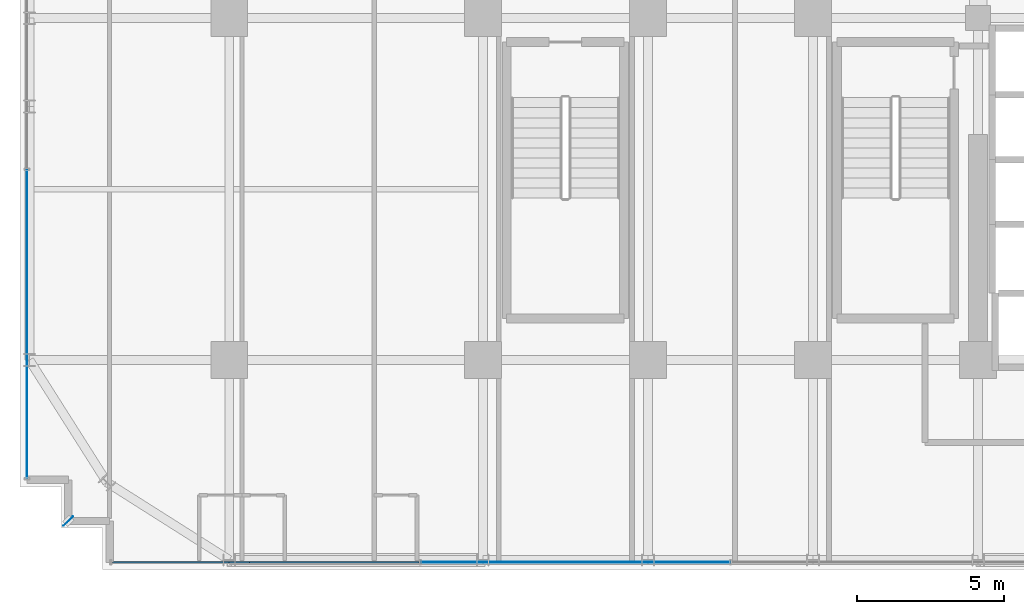
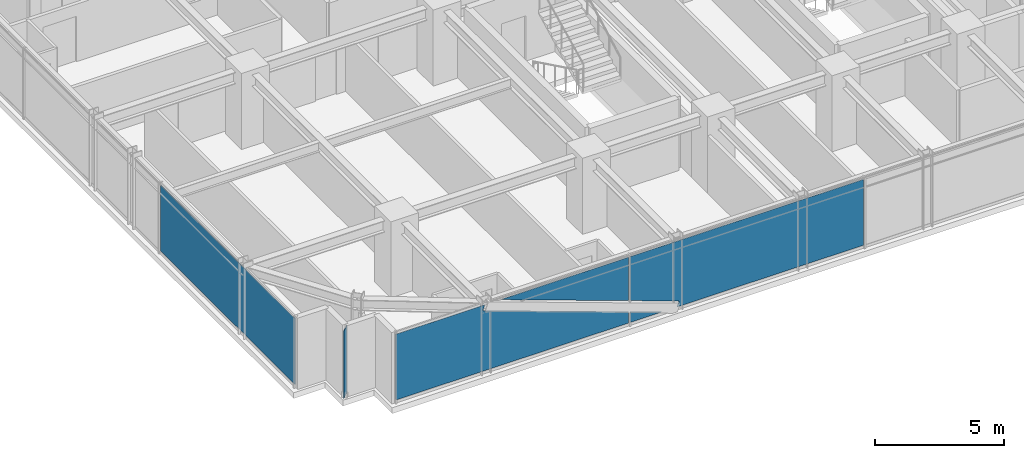
# One storey, part 26 of 41: 4 plates, 2 elements without a shape of their own.
"""IFC4 building model written with IfcOpenShell, lengths in metres."""

import ifcopenshell
import ifcopenshell.guid

model = None  # the IFC model being written
_history = None  # IfcOwnerHistory: only IFC2X3 demands one
_inside = {}  # id of a spatial element -> (the spatial element, [elements in it])
_under = {}  # id of a project, library or spatial element -> (it, [spatial elements below it])
_declared = {}  # id of a project -> (the project, [libraries it declares])
_typed = {}  # id of a type object -> (the type object, [elements of that type])
_made_of = {}  # id of a material, layer set ... -> (it, [elements and type objects made of it])


def new_model(schema):
    """Start an empty IFC model of exactly this schema.

    Asked for "IFC4X3", IfcOpenShell would pick the latest addendum, in which some entities
    have other attributes; the version numbers below select the first issue.
    IFC2X3 requires an IfcOwnerHistory on every rooted entity: one is made here for all.
    """
    global model, _history
    if schema == "IFC4X3":
        model = ifcopenshell.file(schema_version=(4, 3, 0, 0))
    else:
        model = ifcopenshell.file(schema=schema)
    _inside.clear()
    _under.clear()
    _declared.clear()
    _typed.clear()
    _made_of.clear()
    _history = None
    if model.schema == "IFC2X3":
        org = make("IfcOrganization", Name="unknown")
        user = make(
            "IfcPersonAndOrganization",
            ThePerson=make("IfcPerson", FamilyName="unknown"),
            TheOrganization=org,
        )
        app = make(
            "IfcApplication",
            ApplicationDeveloper=org,
            Version="unknown",
            ApplicationFullName="unknown",
            ApplicationIdentifier="unknown",
        )
        _history = make(
            "IfcOwnerHistory",
            OwningUser=user,
            OwningApplication=app,
            ChangeAction="ADDED",
            CreationDate=0,
        )
    return model


def make(cls, **values):
    """One entity of the class cls with the attributes given. An attribute that is None is left unset."""
    return model.create_entity(
        cls, **{name: value for name, value in values.items() if value is not None}
    )


def rooted(cls, **values):
    """An entity with a GlobalId (a new one), such as an element, a storey or a relation."""
    return make(cls, GlobalId=ifcopenshell.guid.new(), OwnerHistory=_history, **values)


def si_unit(unit_type, name, prefix=None):
    """IfcSIUnit, for example si_unit("LENGTHUNIT", "METRE", prefix="MILLI")."""
    return make("IfcSIUnit", UnitType=unit_type, Prefix=prefix, Name=name)


def assignment(units):
    """IfcUnitAssignment: the units of a project."""
    return None if units is None else make("IfcUnitAssignment", Units=units)


def point(xyz):
    """IfcCartesianPoint."""
    return None if xyz is None else make("IfcCartesianPoint", Coordinates=xyz)


def direction(xyz):
    """IfcDirection."""
    return None if xyz is None else make("IfcDirection", DirectionRatios=xyz)


def frame(location, z_axis=None, x_axis=None):
    """IfcAxis2Placement3D, a coordinate frame: its origin and axes. An axis left out is left unset."""
    return make(
        "IfcAxis2Placement3D",
        Location=point(location),
        Axis=direction(z_axis),
        RefDirection=direction(x_axis),
    )


def frame_2d(location, x_axis=None):
    """IfcAxis2Placement2D, a coordinate frame in the plane: its origin and x axis."""
    return make(
        "IfcAxis2Placement2D", Location=point(location), RefDirection=direction(x_axis)
    )


def origin():
    """The frame at (0, 0, 0) with its axes left unset."""
    return frame((0.0, 0.0, 0.0))


def origin_2d():
    """The frame at (0, 0) in the plane with its x axis left unset."""
    return frame_2d((0.0, 0.0))


def place(relative_to, where):
    """IfcLocalPlacement: puts the frame where relative to a parent placement (None: the world)."""
    return make(
        "IfcLocalPlacement", PlacementRelTo=relative_to, RelativePlacement=where
    )


def context(
    kind, dimensions, precision=None, world=None, true_north=None, identifier=None
):
    """IfcGeometricRepresentationContext, for example the 3D "Model" context."""
    return make(
        "IfcGeometricRepresentationContext",
        ContextIdentifier=identifier,
        ContextType=kind,
        CoordinateSpaceDimension=dimensions,
        Precision=precision,
        WorldCoordinateSystem=world,
        TrueNorth=true_north,
    )


def subcontext(parent, identifier, kind, view, scale=None):
    """IfcGeometricRepresentationSubContext, for example "Body" below "Model"."""
    return make(
        "IfcGeometricRepresentationSubContext",
        ContextIdentifier=identifier,
        ContextType=kind,
        ParentContext=parent,
        TargetScale=scale,
        TargetView=view,
    )


def project(units=None, contexts=None):
    """IfcProject with its units and contexts."""
    return rooted(
        "IfcProject",
        Name="project",
        RepresentationContexts=contexts,
        UnitsInContext=assignment(units),
    )


def spatial(cls, under=None, at=None, **own):
    """A site, building, storey or space (cls), placed at a placement, below another one or the project."""
    s = rooted(cls, ObjectPlacement=at, **own)
    if under is not None:
        _under.setdefault(under.id(), (under, []))[1].append(s)
    return s


def polyline(points):
    """IfcPolyline through the points."""
    return make("IfcPolyline", Points=[point(p) for p in points])


def profile(cls, at=None, kind="AREA", **sizes):
    """A parametric profile (cls). Its sizes go by their IFC names, for example OverallWidth=200.0."""
    return make(cls, ProfileType=kind, Position=at, **sizes)


def rectangle(**sizes):
    """IfcRectangleProfileDef."""
    return profile("IfcRectangleProfileDef", **sizes)


def outline(outer, holes=None, kind="AREA"):
    """IfcArbitraryClosedProfileDef: a profile drawn as a closed curve; with holes, ...WithVoids."""
    if holes is None:
        return make("IfcArbitraryClosedProfileDef", ProfileType=kind, OuterCurve=outer)
    return make(
        "IfcArbitraryProfileDefWithVoids",
        ProfileType=kind,
        OuterCurve=outer,
        InnerCurves=holes,
    )


def extrude(swept, where, along, depth):
    """IfcExtrudedAreaSolid: the profile swept, set in the frame where, extruded along a direction by depth."""
    return make(
        "IfcExtrudedAreaSolid",
        SweptArea=swept,
        Position=where,
        ExtrudedDirection=direction(along),
        Depth=depth,
    )


def shape(context_of_items, identifier, shape_type, items):
    """IfcShapeRepresentation: the items that make up one representation, for example the "Body"."""
    return make(
        "IfcShapeRepresentation",
        ContextOfItems=context_of_items,
        RepresentationIdentifier=identifier,
        RepresentationType=shape_type,
        Items=items,
    )


def source(mapping_origin, context_of_items, identifier, shape_type, items):
    """IfcRepresentationMap: a shape defined once, which mapped items show again and again."""
    return make(
        "IfcRepresentationMap",
        MappingOrigin=mapping_origin,
        MappedRepresentation=shape(context_of_items, identifier, shape_type, items),
    )


def transform(
    local_origin,
    x_axis=None,
    y_axis=None,
    z_axis=None,
    scale=None,
    scale2=None,
    scale3=None,
    uniform=True,
):
    """IfcCartesianTransformationOperator3D, or its non-uniform kind. x_axis, y_axis, z_axis: its Axis1, 2, 3."""
    if uniform:
        return make(
            "IfcCartesianTransformationOperator3D",
            Axis1=direction(x_axis),
            Axis2=direction(y_axis),
            LocalOrigin=point(local_origin),
            Scale=scale,
            Axis3=direction(z_axis),
        )
    return make(
        "IfcCartesianTransformationOperator3DnonUniform",
        Axis1=direction(x_axis),
        Axis2=direction(y_axis),
        LocalOrigin=point(local_origin),
        Scale=scale,
        Axis3=direction(z_axis),
        Scale2=scale2,
        Scale3=scale3,
    )


def mapped(mapping_source, mapping_target):
    """IfcMappedItem: shows the shape of a source again, moved by a transform."""
    return make(
        "IfcMappedItem", MappingSource=mapping_source, MappingTarget=mapping_target
    )


def material(Name=None, Category=None):
    """IfcMaterial."""
    return make("IfcMaterial", Name=Name, Category=Category)


def layer(
    of_material, thickness, ventilated=None, Name=None, Category=None, Priority=None
):
    """IfcMaterialLayer: one layer of a wall or slab, of a material (None: an air gap)."""
    return make(
        "IfcMaterialLayer",
        Material=of_material,
        LayerThickness=thickness,
        IsVentilated=ventilated,
        Name=Name,
        Category=Category,
        Priority=Priority,
    )


def layer_set(layers, Name=None):
    """IfcMaterialLayerSet."""
    return make("IfcMaterialLayerSet", MaterialLayers=layers, LayerSetName=Name)


def made_of(thing, what):
    """Note that an element or type object is made of a material, layer set ...; save() writes the relation."""
    if what is not None:
        _made_of.setdefault(what.id(), (what, []))[1].append(thing)
    return thing


def type_object(cls, material=None, **own):
    """A type object (cls), such as IfcWallType, which elements share."""
    return made_of(rooted(cls, **own), material)


def element(
    cls,
    number,
    at=None,
    inside=None,
    cuts=None,
    type_object=None,
    material=None,
    context=None,
    identifier="Body",
    shape_type=None,
    held_by="IfcProductDefinitionShape",
    body=None,
    shapes=None,
    **own,
):
    """One element of the class cls, such as IfcWall. Its Tag is "e" and its number.

    at: its placement. inside: the storey or other place that contains it. cuts: it is an
    opening in that element (IfcRelVoidsElement). A single representation is given by context,
    identifier, shape_type and body (its items); several are given by shapes. held_by: the class
    of the entity that holds the representations. save() writes the other relations.
    """
    e = rooted(cls, Tag="e%d" % number, ObjectPlacement=at, **own)
    if body is not None:
        shapes = [shape(context, identifier, shape_type, body)]
    if shapes is not None:
        e.Representation = make(held_by, Representations=shapes)
    if inside is not None:
        _inside.setdefault(inside.id(), (inside, []))[1].append(e)
    if cuts is not None:
        rooted(
            "IfcRelVoidsElement", RelatingBuildingElement=cuts, RelatedOpeningElement=e
        )
    if type_object is not None:
        _typed.setdefault(type_object.id(), (type_object, []))[1].append(e)
    return made_of(e, material)


def aggregate(whole, parts):
    """IfcRelAggregates: a whole, such as a stair, and the parts it consists of."""
    return rooted("IfcRelAggregates", RelatingObject=whole, RelatedObjects=parts)


def save(model, path):
    """Write the relations noted so far, then the file.

    IfcRelAggregates (storeys below a building ...), IfcRelContainedInSpatialStructure (elements
    in a storey), IfcRelDefinesByType, IfcRelAssociatesMaterial and IfcRelDeclares: one each for
    every whole, place, type object, material and project.
    """
    for whole, parts in _under.values():
        aggregate(whole, parts)
    for where, things in _inside.values():
        rooted(
            "IfcRelContainedInSpatialStructure",
            RelatedElements=things,
            RelatingStructure=where,
        )
    for kind, things in _typed.values():
        rooted("IfcRelDefinesByType", RelatedObjects=things, RelatingType=kind)
    for what, things in _made_of.values():
        rooted("IfcRelAssociatesMaterial", RelatedObjects=things, RelatingMaterial=what)
    for by, libraries in _declared.values():
        rooted("IfcRelDeclares", RelatingContext=by, RelatedDefinitions=libraries)
    model.write(path)


model = new_model("IFC4")

# Units and contexts
model_context = context("Model", 3, precision=1e-05, world=origin(), true_north=direction((0.0, 1.0)))
body_context = subcontext(model_context, "Body", "Model", "MODEL_VIEW")
ifc_project = project(units=[si_unit("LENGTHUNIT", "METRE"), si_unit("AREAUNIT", "SQUARE_METRE"), si_unit("VOLUMEUNIT", "CUBIC_METRE"), si_unit("PLANEANGLEUNIT", "RADIAN"), si_unit("MASSUNIT", "GRAM", prefix="KILO")], contexts=[model_context])

# Site, building, storey
site_placement = place(None, origin())
site = spatial("IfcSite", under=ifc_project, at=site_placement, CompositionType="ELEMENT")
building_placement = place(site_placement, origin())
building = spatial("IfcBuilding", under=site, at=building_placement, Name="Nahalor Promenade Grand Hotel", CompositionType="ELEMENT")
storey_placement = place(building_placement, frame((0.0, 0.0, 113.85009765625)))
storey = spatial("IfcBuildingStorey", under=building, at=storey_placement, Name="L28", CompositionType="ELEMENT", Elevation=113.85009765625)

# Curtain wall, plates
ifc_material_1 = material(Name="Anodised Bronze Aluminium EN AW-6063 T6", Category="aluminium")
curtain_wall_type = type_object("IfcCurtainWallType", Name="CW2 Typical Hotel Flush Bronze Unitised Curtain Wall", PredefinedType="USERDEFINED", material=ifc_material_1)
curtain_wall_1_placement = place(storey_placement, origin())
curtain_wall_1 = element("IfcCurtainWall", 1, at=curtain_wall_1_placement, inside=storey, type_object=curtain_wall_type, Name="L28 Curtain Wall CW-L28-S-1", ObjectType="UNITISED_CURTAIN_WALL", PredefinedType="USERDEFINED")
ifc_material_2 = material(Name="Low-E Laminated Solar Glass", Category="glass")
ifc_layer_1 = layer(ifc_material_2, 0.028076171875)
ifc_layer_set_1 = layer_set([ifc_layer_1], Name="Low-E Laminated Solar Glass")
plate_type_1 = type_object("IfcPlateType", Name="CWP2 Bronze Low-E Vision IGU 28mm", PredefinedType="CURTAIN_PANEL", material=ifc_layer_set_1)
plate_1_placement = place(storey_placement, frame((-15.77880859375, -23.860107421875, 0.1298828125), z_axis=(0.0, 0.0, 1.0), x_axis=(1.0, 0.0, 0.0)))
plate_1 = element("IfcPlate", 2, at=plate_1_placement, type_object=plate_type_1, Name="CW-L28-S-1 Glazing Panel 0-0", PredefinedType="CURTAIN_PANEL", context=body_context, shape_type="SweptSolid", body=[
    extrude(outline(polyline([(-5.21630859375, 0.0), (5.21630859375, 0.0), (5.21630859375, 0.52880859375), (-1.3291015625, 2.873046875), (-1.24072265625, 3.1201171875), (-5.21630859375, 3.1201171875), (-5.21630859375, 0.0)])), frame((0.0, 0.01416015625, 0.0), z_axis=(0.0, -1.0, 0.0), x_axis=(1.0, 0.0, 0.0)), (0.0, 0.0, 1.0), 0.028076171875),
    extrude(outline(polyline([(5.21630859375, 1.06005859375), (5.21630859375, 3.1201171875), (-0.53564453125, 3.1201171875), (5.21630859375, 1.06005859375)])), frame((0.0, 0.01416015625, 0.0), z_axis=(0.0, -1.0, 0.0), x_axis=(1.0, 0.0, 0.0)), (0.0, 0.0, 1.0), 0.028076171875),
])
plate_2_placement = place(storey_placement, frame((-5.264892578125, -23.860107421875, 0.1298828125), z_axis=(0.0, 0.0, 1.0), x_axis=(1.0, 0.0, 0.0)))
plate_2 = element("IfcPlate", 3, at=plate_2_placement, type_object=plate_type_1, Name="CW-L28-S-1 Glazing Panel 1-0", PredefinedType="CURTAIN_PANEL", context=body_context, shape_type="SweptSolid", body=[
    extrude(outline(polyline([(5.232421875, 3.1201171875), (-5.232421875, 3.1201171875), (-5.232421875, 1.036865234375), (-3.027099609375, 0.246826171875), (-3.11572265625, 0.0), (5.232421875, 0.0), (5.232421875, 3.1201171875)])), frame((0.0, 0.01416015625, 0.0), z_axis=(0.0, -1.0, 0.0), x_axis=(1.0, 0.0, 0.0)), (0.0, 0.0, 1.0), 0.028076171875),
    extrude(outline(polyline([(-5.232421875, 0.505615234375), (-5.232421875, 0.0), (-3.820556640625, 0.0), (-5.232421875, 0.505615234375)])), frame((0.0, 0.01416015625, 0.0), z_axis=(0.0, -1.0, 0.0), x_axis=(1.0, 0.0, 0.0)), (0.0, 0.0, 1.0), 0.028076171875),
])
aggregate(curtain_wall_1, [plate_1, plate_2])

# Plate
ifc_layer_2 = layer(ifc_material_1, 0.02001953125)
ifc_layer_set_2 = layer_set([ifc_layer_2], Name="Anodised Bronze Aluminium EN AW-6063 T6")
plate_type_2 = type_object("IfcPlateType", Name="Plate-CornerFin-20", PredefinedType="SHEET", material=ifc_layer_set_2)
shared_shape_1 = source(origin(), body_context, "Body", "SweptSolid", [
    extrude(rectangle(XDim=0.449951171875, YDim=0.02001953125, at=origin_2d()), origin(), (0.0, 0.0, 1.0), 3.199951171875),
])
plate_3_placement = place(storey_placement, frame((-22.4599609375, -22.4599609375, 0.0), z_axis=(0.0, 0.0, 1.0), x_axis=(0.707106781187, 0.707106781187, 0.0)))
element("IfcPlate", 4, at=plate_3_placement, inside=storey, type_object=plate_type_2, Name="FIN-L28-SW", PredefinedType="SHEET", context=body_context, shape_type="MappedRepresentation", body=[
    mapped(shared_shape_1, transform((0.0, 0.0, 0.0), scale=1.0)),
])

# Curtain wall, plate
curtain_wall_2_placement = place(storey_placement, origin())
curtain_wall_2 = element("IfcCurtainWall", 5, at=curtain_wall_2_placement, inside=storey, type_object=curtain_wall_type, Name="L28 Curtain Wall CW-L28-W-1", ObjectType="UNITISED_CURTAIN_WALL", PredefinedType="USERDEFINED")
shared_shape_2 = source(origin(), body_context, "Body", "SweptSolid", [
    extrude(rectangle(XDim=10.4326171875, YDim=0.028076171875, at=origin_2d()), origin(), (0.0, 0.0, 1.0), 3.1201171875),
])
plate_4_placement = place(storey_placement, frame((-23.860107421875, -15.77880859375, 0.1298828125), z_axis=(0.0, 0.0, 1.0), x_axis=(0.0, 1.0, 0.0)))
plate_4 = element("IfcPlate", 6, at=plate_4_placement, type_object=plate_type_1, Name="CW-L28-W-1 Glazing Panel 0-0", PredefinedType="CURTAIN_PANEL", context=body_context, shape_type="MappedRepresentation", body=[
    mapped(shared_shape_2, transform((0.0, 0.0, 0.0), scale=1.0)),
])
aggregate(curtain_wall_2, [plate_4])

save(model, "model.ifc")
